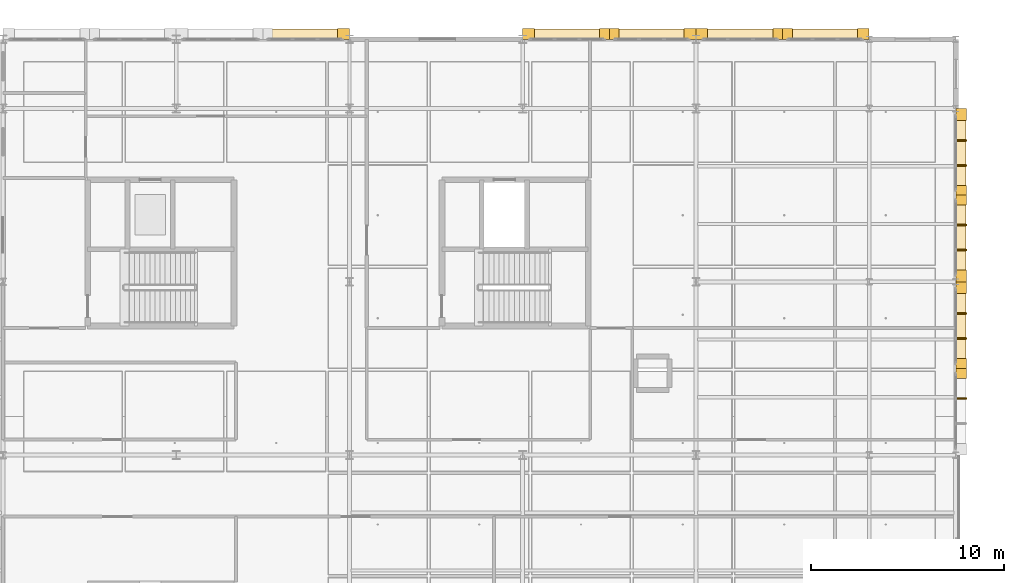
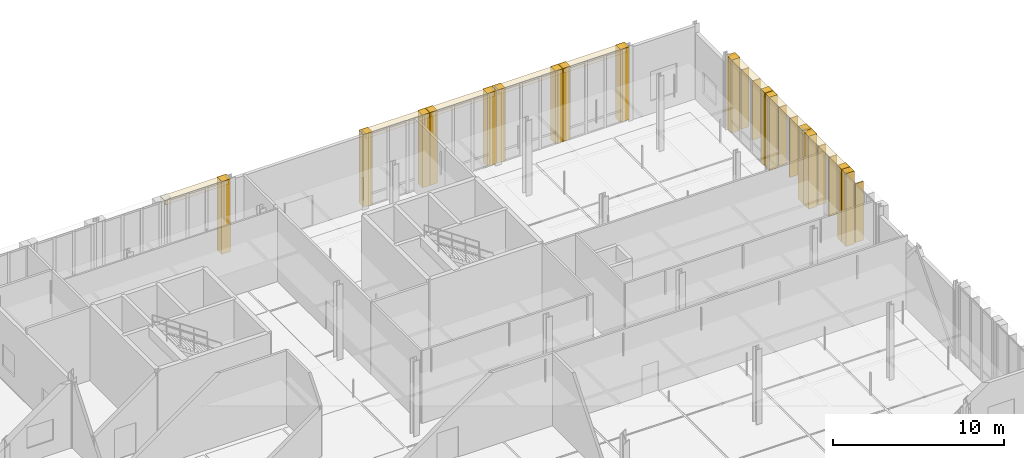
# One storey, part 179 of 180: 24 coverings, 7 shading devices.
"""IFC4 building model written with IfcOpenShell, lengths in metres."""

from ifc_helpers import new_model, si_unit, direction, frame, origin, origin_2d, place, context, subcontext, project, spatial, rectangle, extrude, material, layer, layer_set, type_object, element, save


model = new_model("IFC4")

# Units and contexts
model_context = context("Model", 3, precision=1e-05, world=origin(), true_north=direction((0.0, 1.0)))
body_context = subcontext(model_context, "Body", "Model", "MODEL_VIEW")
ifc_project = project(units=[si_unit("LENGTHUNIT", "METRE"), si_unit("AREAUNIT", "SQUARE_METRE"), si_unit("VOLUMEUNIT", "CUBIC_METRE"), si_unit("PLANEANGLEUNIT", "RADIAN"), si_unit("MASSUNIT", "GRAM", prefix="KILO"), si_unit("THERMODYNAMICTEMPERATUREUNIT", "KELVIN"), si_unit("POWERUNIT", "WATT")], contexts=[model_context])

# Site, building, storey
site_placement = place(None, origin())
site = spatial("IfcSite", under=ifc_project, at=site_placement, CompositionType="ELEMENT")
building_placement = place(site_placement, origin())
building = spatial("IfcBuilding", under=site, at=building_placement, Name="Tallowbark Science Centre", CompositionType="ELEMENT")
storey_placement = place(building_placement, origin())
storey = spatial("IfcBuildingStorey", under=building, at=storey_placement, Name="L00", CompositionType="ELEMENT", Elevation=0.0)

# Coverings
ifc_material_1 = material(Name="White Architectural Precast Concrete Grade N40 (40 MPa)", Category="concrete")
ifc_layer_1 = layer(ifc_material_1, 0.1201171875)
ifc_layer_set_1 = layer_set([ifc_layer_1], Name="White Architectural Precast Concrete Grade N40 (40 MPa)")
covering_type_1 = type_object("IfcCoveringType", Name="COV-PRC-CLAD", PredefinedType="CLADDING", material=ifc_layer_set_1)
for number, where, z_axis, x_axis, name in (
    (1, (130.195068359375, 111.8798828125, 0.0), (0.0, 0.0, 1.0), (-1.0, 0.0, 0.0), "Postmodern Deep Precast Pier CW-L00-094-1"),
    (2, (148.195068359375, 111.8798828125, 0.0), (0.0, 0.0, 1.0), (-1.0, 0.0, 0.0), "Postmodern Deep Precast Pier CW-L00-100-1"),
):
    element("IfcCovering", number, at=place(storey_placement, frame(where, z_axis=z_axis, x_axis=x_axis)), inside=storey, type_object=covering_type_1, Name=name, PredefinedType="CLADDING", context=body_context, shape_type="SweptSolid", body=[
        extrude(rectangle(XDim=0.610107421875, YDim=0.56005859375, at=origin_2d()), origin(), (0.0, 0.0, 1.0), 5.219970703125),
    ])
for number, where, z_axis, x_axis, name in (
    (3, (144.2548828125, 111.8798828125, 0.0), (0.0, 0.0, 1.0), (-1.0, 0.0, 0.0), "Postmodern Deep Precast Pier CW-L00-100-2"),
    (4, (143.7451171875, 111.8798828125, 0.0), (0.0, 0.0, 1.0), (-1.0, 0.0, 0.0), "Postmodern Deep Precast Pier CW-L00-101-1"),
):
    element("IfcCovering", number, at=place(storey_placement, frame(where, z_axis=z_axis, x_axis=x_axis)), inside=storey, type_object=covering_type_1, Name=name, PredefinedType="CLADDING", context=body_context, shape_type="SweptSolid", body=[
        extrude(rectangle(XDim=0.510009765625, YDim=0.56005859375, at=origin_2d()), origin(), (0.0, 0.0, 1.0), 5.219970703125),
    ])
for number, where, z_axis, x_axis, name in (
    (5, (139.804931640625, 111.8798828125, 0.0), (0.0, 0.0, 1.0), (-1.0, 0.0, 0.0), "Postmodern Deep Precast Pier CW-L00-101-2"),
    (6, (157.195068359375, 111.8798828125, 0.0), (0.0, 0.0, 1.0), (-1.0, 0.0, 0.0), "Postmodern Deep Precast Pier CW-L00-104-1"),
):
    element("IfcCovering", number, at=place(storey_placement, frame(where, z_axis=z_axis, x_axis=x_axis)), inside=storey, type_object=covering_type_1, Name=name, PredefinedType="CLADDING", context=body_context, shape_type="SweptSolid", body=[
        extrude(rectangle(XDim=0.610107421875, YDim=0.56005859375, at=origin_2d()), origin(), (0.0, 0.0, 1.0), 5.219970703125),
    ])
for number, where, z_axis, x_axis, name in (
    (7, (153.2548828125, 111.8798828125, 0.0), (0.0, 0.0, 1.0), (-1.0, 0.0, 0.0), "Postmodern Deep Precast Pier CW-L00-104-2"),
    (8, (152.7451171875, 111.8798828125, 0.0), (0.0, 0.0, 1.0), (-1.0, 0.0, 0.0), "Postmodern Deep Precast Pier CW-L00-105-1"),
):
    element("IfcCovering", number, at=place(storey_placement, frame(where, z_axis=z_axis, x_axis=x_axis)), inside=storey, type_object=covering_type_1, Name=name, PredefinedType="CLADDING", context=body_context, shape_type="SweptSolid", body=[
        extrude(rectangle(XDim=0.510009765625, YDim=0.56005859375, at=origin_2d()), origin(), (0.0, 0.0, 1.0), 5.219970703125),
    ])
covering_1_placement = place(storey_placement, frame((148.804931640625, 111.8798828125, 0.0), z_axis=(0.0, 0.0, 1.0), x_axis=(-1.0, 0.0, 0.0)))
element("IfcCovering", 9, at=covering_1_placement, inside=storey, type_object=covering_type_1, Name="Postmodern Deep Precast Pier CW-L00-105-2", PredefinedType="CLADDING", context=body_context, shape_type="SweptSolid", body=[
    extrude(rectangle(XDim=0.610107421875, YDim=0.56005859375, at=origin_2d()), origin(), (0.0, 0.0, 1.0), 5.219970703125),
])
for number, where, z_axis, x_axis, name in (
    (10, (162.280029296875, 94.2451171875, 0.0), (0.0, 0.0, 1.0), (0.0, 1.0, 0.0), "Postmodern Deep Precast Pier CW-L00-108-2"),
    (11, (162.280029296875, 94.7548828125, 0.0), (0.0, 0.0, 1.0), (0.0, 1.0, 0.0), "Postmodern Deep Precast Pier CW-L00-109-1"),
):
    element("IfcCovering", number, at=place(storey_placement, frame(where, z_axis=z_axis, x_axis=x_axis)), inside=storey, type_object=covering_type_1, Name=name, PredefinedType="CLADDING", context=body_context, shape_type="SweptSolid", body=[
        extrude(rectangle(XDim=0.510009765625, YDim=0.56005859375, at=origin_2d()), origin(), (0.0, 0.0, 1.0), 5.219970703125),
    ])
for number, where, z_axis, x_axis, name in (
    (12, (162.280029296875, 98.695068359375, 0.0), (0.0, 0.0, 1.0), (0.0, 1.0, 0.0), "Postmodern Deep Precast Pier CW-L00-109-2"),
    (13, (162.280029296875, 99.304931640625, 0.0), (0.0, 0.0, 1.0), (0.0, 1.0, 0.0), "Postmodern Deep Precast Pier CW-L00-110-1"),
):
    element("IfcCovering", number, at=place(storey_placement, frame(where, z_axis=z_axis, x_axis=x_axis)), inside=storey, type_object=covering_type_1, Name=name, PredefinedType="CLADDING", context=body_context, shape_type="SweptSolid", body=[
        extrude(rectangle(XDim=0.610107421875, YDim=0.56005859375, at=origin_2d()), origin(), (0.0, 0.0, 1.0), 5.219970703125),
    ])
for number, where, z_axis, x_axis, name in (
    (14, (162.280029296875, 103.2451171875, 0.0), (0.0, 0.0, 1.0), (0.0, 1.0, 0.0), "Postmodern Deep Precast Pier CW-L00-110-2"),
    (15, (162.280029296875, 103.7548828125, 0.0), (0.0, 0.0, 1.0), (0.0, 1.0, 0.0), "Postmodern Deep Precast Pier CW-L00-111-1"),
):
    element("IfcCovering", number, at=place(storey_placement, frame(where, z_axis=z_axis, x_axis=x_axis)), inside=storey, type_object=covering_type_1, Name=name, PredefinedType="CLADDING", context=body_context, shape_type="SweptSolid", body=[
        extrude(rectangle(XDim=0.510009765625, YDim=0.56005859375, at=origin_2d()), origin(), (0.0, 0.0, 1.0), 5.219970703125),
    ])
covering_2_placement = place(storey_placement, frame((162.280029296875, 107.695068359375, 0.0), z_axis=(0.0, 0.0, 1.0), x_axis=(0.0, 1.0, 0.0)))
element("IfcCovering", 16, at=covering_2_placement, inside=storey, type_object=covering_type_1, Name="Postmodern Deep Precast Pier CW-L00-111-2", PredefinedType="CLADDING", context=body_context, shape_type="SweptSolid", body=[
    extrude(rectangle(XDim=0.610107421875, YDim=0.56005859375, at=origin_2d()), origin(), (0.0, 0.0, 1.0), 5.219970703125),
])
ifc_material_2 = material(Name="Vitrified Ochre Terracotta Architectural Rainscreen", Category="masonry")
ifc_layer_2 = layer(ifc_material_2, 0.0380859375)
ifc_layer_set_2 = layer_set([ifc_layer_2], Name="Vitrified Ochre Terracotta Architectural Rainscreen")
covering_type_2 = type_object("IfcCoveringType", Name="COV-TER-CLAD", PredefinedType="CLADDING", material=ifc_layer_set_2)
for number, where, z_axis, x_axis, name in (
    (17, (128.199951171875, 111.860107421875, 4.8701171875), (0.0, 0.0, 1.0), (-1.0, 0.0, 0.0), "Postmodern Terracotta Cornice Band CW-L00-094"),
    (18, (146.199951171875, 111.860107421875, 4.8701171875), (0.0, 0.0, 1.0), (-1.0, 0.0, 0.0), "Postmodern Terracotta Cornice Band CW-L00-100"),
    (19, (141.800048828125, 111.860107421875, 4.8701171875), (0.0, 0.0, 1.0), (-1.0, 0.0, 0.0), "Postmodern Terracotta Cornice Band CW-L00-101"),
    (20, (155.199951171875, 111.860107421875, 4.8701171875), (0.0, 0.0, 1.0), (-1.0, 0.0, 0.0), "Postmodern Terracotta Cornice Band CW-L00-104"),
    (21, (150.800048828125, 111.860107421875, 4.8701171875), (0.0, 0.0, 1.0), (-1.0, 0.0, 0.0), "Postmodern Terracotta Cornice Band CW-L00-105"),
    (22, (162.260009765625, 96.699951171875, 4.8701171875), (0.0, 0.0, 1.0), (0.0, 1.0, 0.0), "Postmodern Terracotta Cornice Band CW-L00-109"),
    (23, (162.260009765625, 101.300048828125, 4.8701171875), (0.0, 0.0, 1.0), (0.0, 1.0, 0.0), "Postmodern Terracotta Cornice Band CW-L00-110"),
    (24, (162.260009765625, 105.699951171875, 4.8701171875), (0.0, 0.0, 1.0), (0.0, 1.0, 0.0), "Postmodern Terracotta Cornice Band CW-L00-111"),
):
    element("IfcCovering", number, at=place(storey_placement, frame(where, z_axis=z_axis, x_axis=x_axis)), inside=storey, type_object=covering_type_2, Name=name, PredefinedType="CLADDING", context=body_context, shape_type="SweptSolid", body=[
        extrude(rectangle(XDim=4.300048828125, YDim=0.52001953125, at=origin_2d()), origin(), (0.0, 0.0, 1.0), 0.340087890625),
    ])

# Shading devices
ifc_material_3 = material(Name="Sandstone-Finished Architectural Aluminium Solar Fin", Category="masonry")
shading_device_type = type_object("IfcShadingDeviceType", Name="SHD-FIN-400", PredefinedType="JALOUSIE", material=ifc_material_3)
for number, where, z_axis, x_axis, name in (
    (25, (162.280029296875, 92.949951171875, 0.9248046875), (0.0, 0.0, 1.0), (0.0, 1.0, 0.0), "Vertical Solar Fin CW-L00-108-2"),
    (26, (162.280029296875, 96.050048828125, 0.9248046875), (0.0, 0.0, 1.0), (0.0, 1.0, 0.0), "Vertical Solar Fin CW-L00-109-1"),
    (27, (162.280029296875, 97.35009765625, 0.9248046875), (0.0, 0.0, 1.0), (0.0, 1.0, 0.0), "Vertical Solar Fin CW-L00-109-2"),
    (28, (162.280029296875, 100.64990234375, 0.9248046875), (0.0, 0.0, 1.0), (0.0, 1.0, 0.0), "Vertical Solar Fin CW-L00-110-1"),
    (29, (162.280029296875, 101.949951171875, 0.9248046875), (0.0, 0.0, 1.0), (0.0, 1.0, 0.0), "Vertical Solar Fin CW-L00-110-2"),
    (30, (162.280029296875, 105.050048828125, 0.9248046875), (0.0, 0.0, 1.0), (0.0, 1.0, 0.0), "Vertical Solar Fin CW-L00-111-1"),
    (31, (162.280029296875, 106.35009765625, 0.9248046875), (0.0, 0.0, 1.0), (0.0, 1.0, 0.0), "Vertical Solar Fin CW-L00-111-2"),
):
    element("IfcShadingDevice", number, at=place(storey_placement, frame(where, z_axis=z_axis, x_axis=x_axis)), inside=storey, type_object=shading_device_type, Name=name, PredefinedType="JALOUSIE", context=body_context, shape_type="SweptSolid", body=[
        extrude(rectangle(XDim=0.074951171875, YDim=0.550048828125, at=origin_2d()), origin(), (0.0, 0.0, 1.0), 4.219970703125),
    ])

save(model, "model.ifc")
